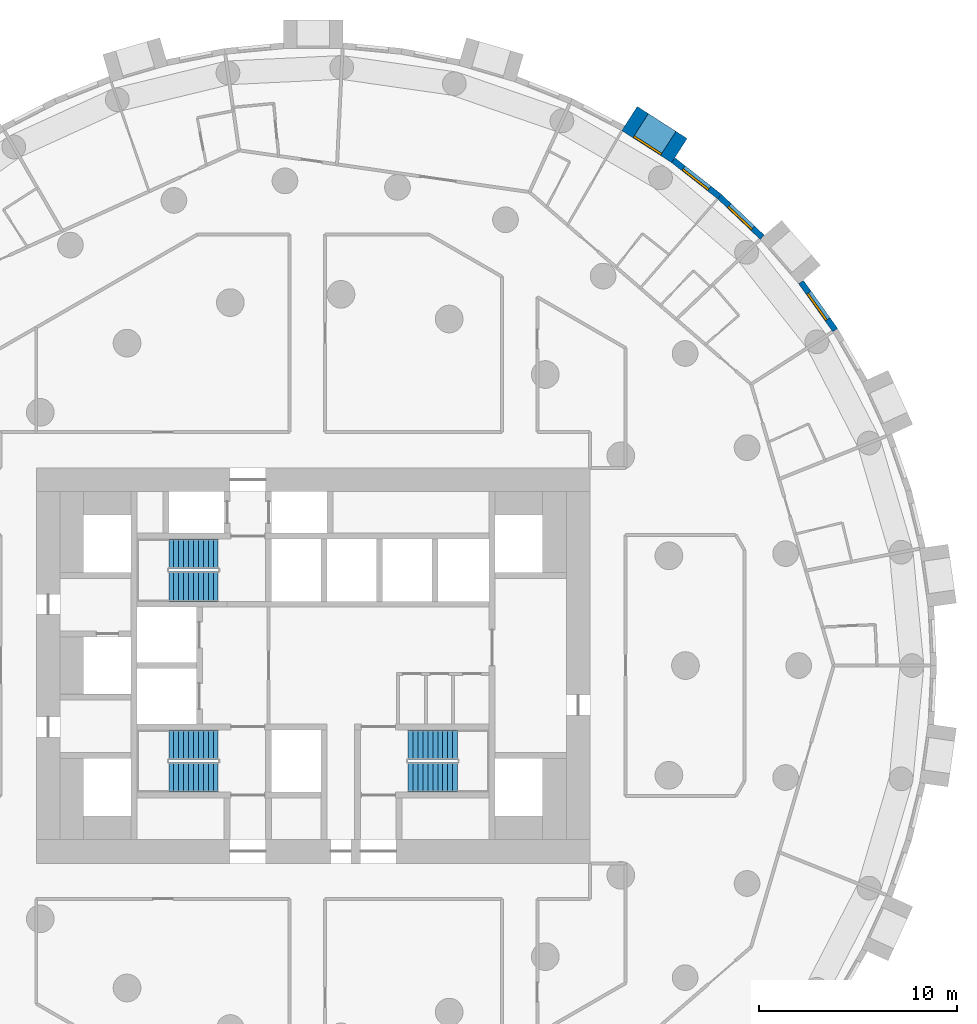
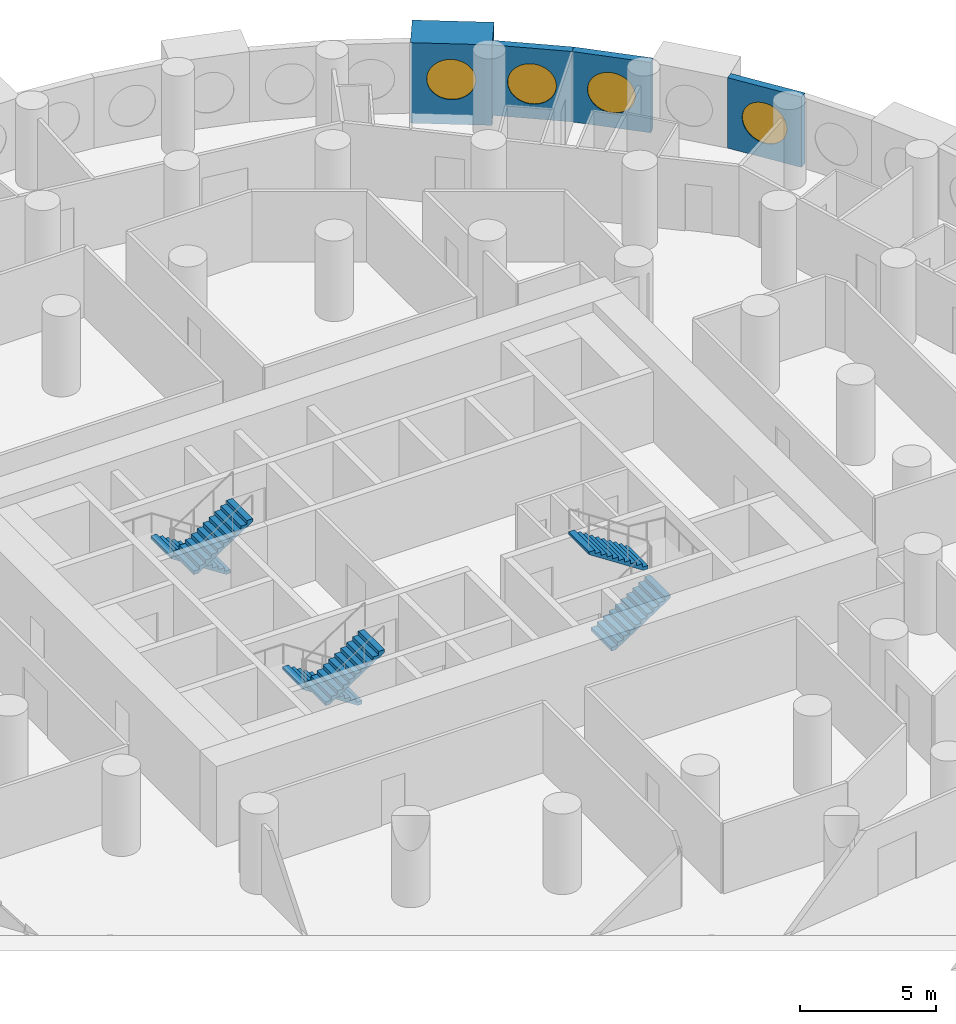
# One storey, part 11 of 12: 6 stair flights, 4 walls, 4 windows, 4 openings, 3 elements without a shape of their own.
"""IFC4 building model written with IfcOpenShell, lengths in metres."""

from ifc_helpers import new_model, si_unit, direction, frame, frame_2d, origin, origin_2d, place, context, subcontext, project, spatial, polyline, rectangle, circle, outline, extrude, material, layer, layer_set, type_object, element, fill, aggregate, save


model = new_model("IFC4")

# Units and contexts
model_context = context("Model", 3, precision=1e-05, world=origin(), true_north=direction((0.0, 1.0)))
body_context = subcontext(model_context, "Body", "Model", "MODEL_VIEW")
ifc_project = project(units=[si_unit("LENGTHUNIT", "METRE"), si_unit("AREAUNIT", "SQUARE_METRE"), si_unit("VOLUMEUNIT", "CUBIC_METRE"), si_unit("PLANEANGLEUNIT", "RADIAN"), si_unit("MASSUNIT", "GRAM", prefix="KILO")], contexts=[model_context])

# Site, building, storey
site_placement = place(None, origin())
site = spatial("IfcSite", under=ifc_project, at=site_placement, CompositionType="ELEMENT")
building_placement = place(site_placement, origin())
building = spatial("IfcBuilding", under=site, at=building_placement, Name="Tracery Tower", CompositionType="ELEMENT")
storey_placement = place(building_placement, frame((0.0, 0.0, 103.800048828125)))
storey = spatial("IfcBuildingStorey", under=building, at=storey_placement, Name="L26", CompositionType="ELEMENT", Elevation=103.800048828125)

# Wall, opening, window
ifc_material_1 = material(Name="Precast concrete C50/60", Category="concrete")
ifc_layer_1 = layer(ifc_material_1, 1.449951171875)
ifc_layer_set_1 = layer_set([ifc_layer_1], Name="Deep-set bay unit 3000 x 3600, slab edge 450")
wall_type_1 = type_object("IfcWallType", Name="Deep-set bay unit 3000 x 3600, slab edge 450", PredefinedType="ELEMENTEDWALL", material=ifc_layer_set_1)
wall_1_placement = place(storey_placement, frame((18.515869140625, 26.03662109375, -0.449951171875), z_axis=(0.0, 0.0, 1.0), x_axis=(-0.841223422347, 0.540687667415, 0.0)))
wall_1 = element("IfcWall", 1, at=wall_1_placement, inside=storey, type_object=wall_type_1, Name="Deep-set bay unit 11 at L26", PredefinedType="ELEMENTEDWALL", context=body_context, shape_type="SweptSolid", body=[
    extrude(rectangle(XDim=3.0, YDim=1.449951171875, at=frame_2d((1.5, 0.0))), origin(), (0.0, 0.0, 1.0), 3.599853515625),
])
opening_1_placement = place(wall_1_placement, frame((1.5, 0.0, 2.0)))
opening_1 = element("IfcOpeningElement", 2, at=opening_1_placement, cuts=wall_1, Name="Opening WN1", PredefinedType="OPENING", context=body_context, shape_type="SweptSolid", body=[
    extrude(circle(Radius=0.9000244140625, at=origin_2d()), frame((0.0, 0.73486328125, 0.0), z_axis=(0.0, -1.0, 0.0), x_axis=(1.0, 0.0, 0.0)), (0.0, 0.0, 1.0), 1.469970703125),
])
ifc_material_2 = material(Name="Aluminium frame with tinted double glazing", Category="aluminium")
window_type = type_object("IfcWindowType", Name="Round window 1800", PartitioningType="SINGLE_PANEL", PredefinedType="WINDOW", material=ifc_material_2)
window_1_placement = place(opening_1_placement, origin())
window_1 = element("IfcWindow", 3, at=window_1_placement, inside=storey, type_object=window_type, Name="Round window 11 at L26", OverallHeight=1.800048828125, OverallWidth=1.800048828125, PartitioningType="SINGLE_PANEL", PredefinedType="WINDOW", context=body_context, shape_type="SweptSolid", body=[
    extrude(circle(Radius=0.9000244140625, at=origin_2d()), frame((0.0, 0.69482421875, 0.0), z_axis=(0.0, -1.0, 0.0), x_axis=(1.0, 0.0, 0.0)), (0.0, 0.0, 1.0), 0.10009765625),
])
fill(opening_1, window_1)

ifc_material_3 = material(Name="Precast concrete C50/60", Category="concrete")
ifc_layer_2 = layer(ifc_material_3, 0.300048828125)
ifc_layer_set_2 = layer_set([ifc_layer_2], Name="Facade panel 3000 x 3150")
wall_type_2 = type_object("IfcWallType", Name="Facade panel 3000 x 3150", PredefinedType="SOLIDWALL", material=ifc_layer_set_2)
wall_2_placement = place(storey_placement, frame((26.393798828125, 16.96240234375, 0.0), z_axis=(0.0, 0.0, 1.0), x_axis=(-0.580059407678, 0.81457417315, 0.0)))
wall_2 = element("IfcWall", 4, at=wall_2_placement, inside=storey, type_object=wall_type_2, Name="Facade panel 7 at L26", PredefinedType="SOLIDWALL", context=body_context, shape_type="SweptSolid", body=[
    extrude(rectangle(XDim=2.9794921875, YDim=0.300048828125, at=frame_2d((1.48974609375, 0.0))), origin(), (0.0, 0.0, 1.0), 3.14990234375),
])
opening_2_placement = place(wall_2_placement, frame((1.48974609375, 0.0, 1.5498046875)))
opening_2 = element("IfcOpeningElement", 5, at=opening_2_placement, cuts=wall_2, Name="Opening WN1", PredefinedType="OPENING", context=body_context, shape_type="SweptSolid", body=[
    extrude(circle(Radius=0.9000244140625, at=origin_2d()), frame((0.0, 0.159912109375, 0.0), z_axis=(0.0, -1.0, 0.0), x_axis=(1.0, 0.0, 0.0)), (0.0, 0.0, 1.0), 0.320068359375),
])
window_2_placement = place(opening_2_placement, origin())
window_2 = element("IfcWindow", 6, at=window_2_placement, inside=storey, type_object=window_type, Name="Round window 7 at L26", OverallHeight=1.800048828125, OverallWidth=1.800048828125, PartitioningType="SINGLE_PANEL", PredefinedType="WINDOW", context=body_context, shape_type="SweptSolid", body=[
    extrude(circle(Radius=0.9000244140625, at=origin_2d()), frame((0.0, 0.1201171875, 0.0), z_axis=(0.0, -1.0, 0.0), x_axis=(1.0, 0.0, 0.0)), (0.0, 0.0, 1.0), 0.10009765625),
])
fill(opening_2, window_2)

wall_3_placement = place(storey_placement, frame((22.702392578125, 21.655029296875, 0.0), z_axis=(0.0, 0.0, 1.0), x_axis=(-0.723744206617, 0.690068346896, 0.0)))
wall_3 = element("IfcWall", 7, at=wall_3_placement, inside=storey, type_object=wall_type_2, Name="Facade panel 9 at L26", PredefinedType="SOLIDWALL", context=body_context, shape_type="SweptSolid", body=[
    extrude(rectangle(XDim=2.979736328125, YDim=0.300048828125, at=frame_2d((1.48974609375, 0.0))), origin(), (0.0, 0.0, 1.0), 3.14990234375),
])
opening_3_placement = place(wall_3_placement, frame((1.48974609375, 0.0, 1.5498046875)))
opening_3 = element("IfcOpeningElement", 8, at=opening_3_placement, cuts=wall_3, Name="Opening WN1", PredefinedType="OPENING", context=body_context, shape_type="SweptSolid", body=[
    extrude(circle(Radius=0.9000244140625, at=origin_2d()), frame((0.0, 0.159912109375, 0.0), z_axis=(0.0, -1.0, 0.0), x_axis=(1.0, 0.0, 0.0)), (0.0, 0.0, 1.0), 0.320068359375),
])
window_3_placement = place(opening_3_placement, origin())
window_3 = element("IfcWindow", 9, at=window_3_placement, inside=storey, type_object=window_type, Name="Round window 9 at L26", OverallHeight=1.800048828125, OverallWidth=1.800048828125, PartitioningType="SINGLE_PANEL", PredefinedType="WINDOW", context=body_context, shape_type="SweptSolid", body=[
    extrude(circle(Radius=0.9000244140625, at=origin_2d()), frame((0.0, 0.1201171875, 0.0), z_axis=(0.0, -1.0, 0.0), x_axis=(1.0, 0.0, 0.0)), (0.0, 0.0, 1.0), 0.10009765625),
])
fill(opening_3, window_3)

wall_4_placement = place(storey_placement, frame((20.5458984375, 23.711181640625, 0.0), z_axis=(0.0, 0.0, 1.0), x_axis=(-0.786045331304, 0.618168858108, 0.0)))
wall_4 = element("IfcWall", 10, at=wall_4_placement, inside=storey, type_object=wall_type_2, Name="Facade panel 10 at L26", PredefinedType="SOLIDWALL", context=body_context, shape_type="SweptSolid", body=[
    extrude(rectangle(XDim=2.979736328125, YDim=0.300048828125, at=frame_2d((1.48974609375, 0.0))), origin(), (0.0, 0.0, 1.0), 3.14990234375),
])
opening_4_placement = place(wall_4_placement, frame((1.48974609375, 0.0, 1.5498046875)))
opening_4 = element("IfcOpeningElement", 11, at=opening_4_placement, cuts=wall_4, Name="Opening WN1", PredefinedType="OPENING", context=body_context, shape_type="SweptSolid", body=[
    extrude(circle(Radius=0.9000244140625, at=origin_2d()), frame((0.0, 0.159912109375, 0.0), z_axis=(0.0, -1.0, 0.0), x_axis=(1.0, 0.0, 0.0)), (0.0, 0.0, 1.0), 0.320068359375),
])
window_4_placement = place(opening_4_placement, origin())
window_4 = element("IfcWindow", 12, at=window_4_placement, inside=storey, type_object=window_type, Name="Round window 10 at L26", OverallHeight=1.800048828125, OverallWidth=1.800048828125, PartitioningType="SINGLE_PANEL", PredefinedType="WINDOW", context=body_context, shape_type="SweptSolid", body=[
    extrude(circle(Radius=0.9000244140625, at=origin_2d()), frame((0.0, 0.1201171875, 0.0), z_axis=(0.0, -1.0, 0.0), x_axis=(1.0, 0.0, 0.0)), (0.0, 0.0, 1.0), 0.10009765625),
])
fill(opening_4, window_4)

# Stair, stair flights
ifc_material_4 = material(Name="Concrete C32/40", Category="concrete")
stair_type = type_object("IfcStairType", Name="Core stair 22 risers", PredefinedType="HALF_TURN_STAIR", material=ifc_material_4)
stair_1_placement = place(storey_placement, origin())
stair_1 = element("IfcStair", 13, at=stair_1_placement, inside=storey, type_object=stair_type, Name="L26 stair ST1", PredefinedType="HALF_TURN_STAIR")
ifc_material_5 = material(Name="Concrete C32/40", Category="concrete")
stair_flight_type = type_object("IfcStairFlightType", Name="Core stair flight 11 risers", PredefinedType="STRAIGHT", material=ifc_material_5)
stair_flight_1_placement = place(storey_placement, frame((-4.800048828125, -4.0, 0.0), z_axis=(0.0, 0.0, 1.0), x_axis=(-1.0, 0.0, 0.0)))
stair_flight_1 = element("IfcStairFlight", 14, at=stair_flight_1_placement, type_object=stair_flight_type, Name="ST1 flight 1", NumberOfRisers=11, NumberOfTreads=10, PredefinedType="STRAIGHT", RiserHeight=0.163636364, TreadLength=0.25, context=body_context, shape_type="SweptSolid", body=[
    extrude(outline(polyline([(0.0, 0.0), (0.0, 0.002685546875), (0.0, 0.00537109375), (0.0, 0.008056640625), (0.0, 0.0107421875), (0.0, 0.013427734375), (0.0, 0.01611328125), (0.0, 0.018798828125), (0.0, 0.021484375), (0.0, 0.024169921875), (0.0, 0.02685546875), (0.0, 0.029541015625), (0.0, 0.0322265625), (0.0, 0.034912109375), (0.0, 0.03759765625), (0.0, 0.040283203125), (0.0, 0.04296875), (0.0, 0.045654296875), (0.0, 0.04833984375), (0.0, 0.051025390625), (0.0, 0.0537109375), (0.0, 0.056396484375), (0.0, 0.05908203125), (0.0, 0.061767578125), (0.0, 0.064453125), (0.0, 0.067138671875), (0.0, 0.06982421875), (0.0, 0.072509765625), (0.0, 0.0751953125), (0.0, 0.077880859375), (0.0, 0.08056640625), (0.0, 0.083251953125), (0.0, 0.0859375), (0.0, 0.088623046875), (0.0, 0.09130859375), (0.0, 0.093994140625), (0.0, 0.0966796875), (0.0, 0.099365234375), (0.0, 0.10205078125), (0.0, 0.104736328125), (0.0, 0.107421875), (0.0, 0.10986328125), (0.0, 0.112548828125), (0.0, 0.115234375), (0.0, 0.117919921875), (0.0, 0.12060546875), (0.0, 0.123291015625), (0.0, 0.1259765625), (0.0, 0.128662109375), (0.0, 0.13134765625), (0.0, 0.134033203125), (0.0, 0.13671875), (0.0, 0.139404296875), (0.0, 0.14208984375), (0.0, 0.144775390625), (0.0, 0.1474609375), (0.0, 0.150146484375), (0.0, 0.15283203125), (0.0, 0.155517578125), (0.0, 0.158203125), (0.0, 0.160888671875), (0.0, 0.16357421875), (0.25, 0.16357421875), (0.25, 0.327392578125), (0.5, 0.327392578125), (0.5, 0.490966796875), (0.75, 0.490966796875), (0.75, 0.654541015625), (1.0, 0.654541015625), (1.0, 0.818115234375), (1.25, 0.818115234375), (1.25, 0.98193359375), (1.5, 0.98193359375), (1.5, 1.1455078125), (1.75, 1.1455078125), (1.75, 1.30908203125), (2.0, 1.30908203125), (2.0, 1.47265625), (2.25, 1.47265625), (2.25, 1.636474609375), (2.5, 1.636474609375), (2.5, 1.634521484375), (2.5, 1.63232421875), (2.5, 1.63037109375), (2.5, 1.62841796875), (2.5, 1.62646484375), (2.5, 1.62451171875), (2.5, 1.62255859375), (2.5, 1.62060546875), (2.5, 1.61865234375), (2.5, 1.61669921875), (2.5, 1.61474609375), (2.5, 1.61279296875), (2.5, 1.61083984375), (2.5, 1.60888671875), (2.5, 1.60693359375), (2.5, 1.60498046875), (2.5, 1.60302734375), (2.5, 1.60107421875), (2.5, 1.59912109375), (2.5, 1.59716796875), (2.5, 1.59521484375), (2.5, 1.59326171875), (2.5, 1.59130859375), (2.5, 1.58935546875), (2.5, 1.58740234375), (2.5, 1.58544921875), (2.5, 1.58349609375), (2.5, 1.58154296875), (2.5, 1.57958984375), (2.5, 1.57763671875), (2.5, 1.57568359375), (2.5, 1.573486328125), (2.5, 1.571533203125), (2.5, 1.569580078125), (2.5, 1.567626953125), (2.5, 1.565673828125), (2.5, 1.563720703125), (2.5, 1.561767578125), (2.5, 1.559814453125), (2.5, 1.557861328125), (2.5, 1.555908203125), (2.5, 1.553955078125), (2.5, 1.552001953125), (2.5, 1.550048828125), (2.5, 1.548095703125), (2.5, 1.546142578125), (2.5, 1.544189453125), (2.5, 1.542236328125), (2.5, 1.540283203125), (2.5, 1.538330078125), (2.5, 1.536376953125), (2.5, 1.534423828125), (2.5, 1.532470703125), (2.5, 1.530517578125), (2.5, 1.528564453125), (2.5, 1.526611328125), (2.5, 1.524658203125), (2.5, 1.522705078125), (2.5, 1.520751953125), (2.5, 1.518798828125), (2.5, 1.516845703125), (0.182861328125, 0.0), (0.0, 0.0)])), frame((0.0, 0.75, 0.0), z_axis=(0.0, -1.0, 0.0), x_axis=(1.0, 0.0, 0.0)), (0.0, 0.0, 1.0), 1.5),
])
stair_flight_2_placement = place(storey_placement, frame((-7.300048828125, -5.64990234375, 1.800048828125), z_axis=(0.0, 0.0, 1.0), x_axis=(1.0, 0.0, 0.0)))
stair_flight_2 = element("IfcStairFlight", 15, at=stair_flight_2_placement, type_object=stair_flight_type, Name="ST1 flight 2", NumberOfRisers=11, NumberOfTreads=10, PredefinedType="STRAIGHT", RiserHeight=0.163636364, TreadLength=0.25, context=body_context, shape_type="SweptSolid", body=[
    extrude(outline(polyline([(0.0, 0.0), (0.0, 0.002685546875), (0.0, 0.00537109375), (0.0, 0.008056640625), (0.0, 0.0107421875), (0.0, 0.013427734375), (0.0, 0.01611328125), (0.0, 0.018798828125), (0.0, 0.021484375), (0.0, 0.024169921875), (0.0, 0.02685546875), (0.0, 0.029541015625), (0.0, 0.0322265625), (0.0, 0.034912109375), (0.0, 0.03759765625), (0.0, 0.040283203125), (0.0, 0.04296875), (0.0, 0.045654296875), (0.0, 0.04833984375), (0.0, 0.051025390625), (0.0, 0.0537109375), (0.0, 0.056396484375), (0.0, 0.05908203125), (0.0, 0.061767578125), (0.0, 0.064453125), (0.0, 0.067138671875), (0.0, 0.06982421875), (0.0, 0.072509765625), (0.0, 0.0751953125), (0.0, 0.077880859375), (0.0, 0.08056640625), (0.0, 0.083251953125), (0.0, 0.0859375), (0.0, 0.088623046875), (0.0, 0.09130859375), (0.0, 0.093994140625), (0.0, 0.0966796875), (0.0, 0.099365234375), (0.0, 0.10205078125), (0.0, 0.104736328125), (0.0, 0.107421875), (0.0, 0.10986328125), (0.0, 0.112548828125), (0.0, 0.115234375), (0.0, 0.117919921875), (0.0, 0.12060546875), (0.0, 0.123291015625), (0.0, 0.1259765625), (0.0, 0.128662109375), (0.0, 0.13134765625), (0.0, 0.134033203125), (0.0, 0.13671875), (0.0, 0.139404296875), (0.0, 0.14208984375), (0.0, 0.144775390625), (0.0, 0.1474609375), (0.0, 0.150146484375), (0.0, 0.15283203125), (0.0, 0.155517578125), (0.0, 0.158203125), (0.0, 0.160888671875), (0.0, 0.16357421875), (0.25, 0.16357421875), (0.25, 0.327392578125), (0.5, 0.327392578125), (0.5, 0.490966796875), (0.75, 0.490966796875), (0.75, 0.654541015625), (1.0, 0.654541015625), (1.0, 0.818115234375), (1.25, 0.818115234375), (1.25, 0.98193359375), (1.5, 0.98193359375), (1.5, 1.1455078125), (1.75, 1.1455078125), (1.75, 1.30908203125), (2.0, 1.30908203125), (2.0, 1.47265625), (2.25, 1.47265625), (2.25, 1.636474609375), (2.5, 1.636474609375), (2.5, 1.634521484375), (2.5, 1.63232421875), (2.5, 1.63037109375), (2.5, 1.62841796875), (2.5, 1.62646484375), (2.5, 1.62451171875), (2.5, 1.62255859375), (2.5, 1.62060546875), (2.5, 1.61865234375), (2.5, 1.61669921875), (2.5, 1.61474609375), (2.5, 1.61279296875), (2.5, 1.61083984375), (2.5, 1.60888671875), (2.5, 1.60693359375), (2.5, 1.60498046875), (2.5, 1.60302734375), (2.5, 1.60107421875), (2.5, 1.59912109375), (2.5, 1.59716796875), (2.5, 1.59521484375), (2.5, 1.59326171875), (2.5, 1.59130859375), (2.5, 1.58935546875), (2.5, 1.58740234375), (2.5, 1.58544921875), (2.5, 1.58349609375), (2.5, 1.58154296875), (2.5, 1.57958984375), (2.5, 1.57763671875), (2.5, 1.57568359375), (2.5, 1.573486328125), (2.5, 1.571533203125), (2.5, 1.569580078125), (2.5, 1.567626953125), (2.5, 1.565673828125), (2.5, 1.563720703125), (2.5, 1.561767578125), (2.5, 1.559814453125), (2.5, 1.557861328125), (2.5, 1.555908203125), (2.5, 1.553955078125), (2.5, 1.552001953125), (2.5, 1.550048828125), (2.5, 1.548095703125), (2.5, 1.546142578125), (2.5, 1.544189453125), (2.5, 1.542236328125), (2.5, 1.540283203125), (2.5, 1.538330078125), (2.5, 1.536376953125), (2.5, 1.534423828125), (2.5, 1.532470703125), (2.5, 1.530517578125), (2.5, 1.528564453125), (2.5, 1.526611328125), (2.5, 1.524658203125), (2.5, 1.522705078125), (2.5, 1.520751953125), (2.5, 1.518798828125), (2.5, 1.516845703125), (0.182861328125, 0.0), (0.0, 0.0)])), frame((0.0, 0.75, 0.0), z_axis=(0.0, -1.0, 0.0), x_axis=(1.0, 0.0, 0.0)), (0.0, 0.0, 1.0), 1.5),
])
aggregate(stair_1, [stair_flight_1, stair_flight_2])

stair_2_placement = place(storey_placement, origin())
stair_2 = element("IfcStair", 16, at=stair_2_placement, inside=storey, type_object=stair_type, Name="L26 stair ST3", PredefinedType="HALF_TURN_STAIR")
stair_flight_3_placement = place(storey_placement, frame((-4.800048828125, 5.64990234375, 0.0), z_axis=(0.0, 0.0, 1.0), x_axis=(-1.0, 0.0, 0.0)))
stair_flight_3 = element("IfcStairFlight", 17, at=stair_flight_3_placement, type_object=stair_flight_type, Name="ST3 flight 1", NumberOfRisers=11, NumberOfTreads=10, PredefinedType="STRAIGHT", RiserHeight=0.163636364, TreadLength=0.25, context=body_context, shape_type="SweptSolid", body=[
    extrude(outline(polyline([(0.0, 0.0), (0.0, 0.002685546875), (0.0, 0.00537109375), (0.0, 0.008056640625), (0.0, 0.0107421875), (0.0, 0.013427734375), (0.0, 0.01611328125), (0.0, 0.018798828125), (0.0, 0.021484375), (0.0, 0.024169921875), (0.0, 0.02685546875), (0.0, 0.029541015625), (0.0, 0.0322265625), (0.0, 0.034912109375), (0.0, 0.03759765625), (0.0, 0.040283203125), (0.0, 0.04296875), (0.0, 0.045654296875), (0.0, 0.04833984375), (0.0, 0.051025390625), (0.0, 0.0537109375), (0.0, 0.056396484375), (0.0, 0.05908203125), (0.0, 0.061767578125), (0.0, 0.064453125), (0.0, 0.067138671875), (0.0, 0.06982421875), (0.0, 0.072509765625), (0.0, 0.0751953125), (0.0, 0.077880859375), (0.0, 0.08056640625), (0.0, 0.083251953125), (0.0, 0.0859375), (0.0, 0.088623046875), (0.0, 0.09130859375), (0.0, 0.093994140625), (0.0, 0.0966796875), (0.0, 0.099365234375), (0.0, 0.10205078125), (0.0, 0.104736328125), (0.0, 0.107421875), (0.0, 0.10986328125), (0.0, 0.112548828125), (0.0, 0.115234375), (0.0, 0.117919921875), (0.0, 0.12060546875), (0.0, 0.123291015625), (0.0, 0.1259765625), (0.0, 0.128662109375), (0.0, 0.13134765625), (0.0, 0.134033203125), (0.0, 0.13671875), (0.0, 0.139404296875), (0.0, 0.14208984375), (0.0, 0.144775390625), (0.0, 0.1474609375), (0.0, 0.150146484375), (0.0, 0.15283203125), (0.0, 0.155517578125), (0.0, 0.158203125), (0.0, 0.160888671875), (0.0, 0.16357421875), (0.25, 0.16357421875), (0.25, 0.327392578125), (0.5, 0.327392578125), (0.5, 0.490966796875), (0.75, 0.490966796875), (0.75, 0.654541015625), (1.0, 0.654541015625), (1.0, 0.818115234375), (1.25, 0.818115234375), (1.25, 0.98193359375), (1.5, 0.98193359375), (1.5, 1.1455078125), (1.75, 1.1455078125), (1.75, 1.30908203125), (2.0, 1.30908203125), (2.0, 1.47265625), (2.25, 1.47265625), (2.25, 1.636474609375), (2.5, 1.636474609375), (2.5, 1.634521484375), (2.5, 1.63232421875), (2.5, 1.63037109375), (2.5, 1.62841796875), (2.5, 1.62646484375), (2.5, 1.62451171875), (2.5, 1.62255859375), (2.5, 1.62060546875), (2.5, 1.61865234375), (2.5, 1.61669921875), (2.5, 1.61474609375), (2.5, 1.61279296875), (2.5, 1.61083984375), (2.5, 1.60888671875), (2.5, 1.60693359375), (2.5, 1.60498046875), (2.5, 1.60302734375), (2.5, 1.60107421875), (2.5, 1.59912109375), (2.5, 1.59716796875), (2.5, 1.59521484375), (2.5, 1.59326171875), (2.5, 1.59130859375), (2.5, 1.58935546875), (2.5, 1.58740234375), (2.5, 1.58544921875), (2.5, 1.58349609375), (2.5, 1.58154296875), (2.5, 1.57958984375), (2.5, 1.57763671875), (2.5, 1.57568359375), (2.5, 1.573486328125), (2.5, 1.571533203125), (2.5, 1.569580078125), (2.5, 1.567626953125), (2.5, 1.565673828125), (2.5, 1.563720703125), (2.5, 1.561767578125), (2.5, 1.559814453125), (2.5, 1.557861328125), (2.5, 1.555908203125), (2.5, 1.553955078125), (2.5, 1.552001953125), (2.5, 1.550048828125), (2.5, 1.548095703125), (2.5, 1.546142578125), (2.5, 1.544189453125), (2.5, 1.542236328125), (2.5, 1.540283203125), (2.5, 1.538330078125), (2.5, 1.536376953125), (2.5, 1.534423828125), (2.5, 1.532470703125), (2.5, 1.530517578125), (2.5, 1.528564453125), (2.5, 1.526611328125), (2.5, 1.524658203125), (2.5, 1.522705078125), (2.5, 1.520751953125), (2.5, 1.518798828125), (2.5, 1.516845703125), (0.182861328125, 0.0), (0.0, 0.0)])), frame((0.0, 0.75, 0.0), z_axis=(0.0, -1.0, 0.0), x_axis=(1.0, 0.0, 0.0)), (0.0, 0.0, 1.0), 1.5),
])
stair_flight_4_placement = place(storey_placement, frame((-7.300048828125, 4.0, 1.800048828125), z_axis=(0.0, 0.0, 1.0), x_axis=(1.0, 0.0, 0.0)))
stair_flight_4 = element("IfcStairFlight", 18, at=stair_flight_4_placement, type_object=stair_flight_type, Name="ST3 flight 2", NumberOfRisers=11, NumberOfTreads=10, PredefinedType="STRAIGHT", RiserHeight=0.163636364, TreadLength=0.25, context=body_context, shape_type="SweptSolid", body=[
    extrude(outline(polyline([(0.0, 0.0), (0.0, 0.002685546875), (0.0, 0.00537109375), (0.0, 0.008056640625), (0.0, 0.0107421875), (0.0, 0.013427734375), (0.0, 0.01611328125), (0.0, 0.018798828125), (0.0, 0.021484375), (0.0, 0.024169921875), (0.0, 0.02685546875), (0.0, 0.029541015625), (0.0, 0.0322265625), (0.0, 0.034912109375), (0.0, 0.03759765625), (0.0, 0.040283203125), (0.0, 0.04296875), (0.0, 0.045654296875), (0.0, 0.04833984375), (0.0, 0.051025390625), (0.0, 0.0537109375), (0.0, 0.056396484375), (0.0, 0.05908203125), (0.0, 0.061767578125), (0.0, 0.064453125), (0.0, 0.067138671875), (0.0, 0.06982421875), (0.0, 0.072509765625), (0.0, 0.0751953125), (0.0, 0.077880859375), (0.0, 0.08056640625), (0.0, 0.083251953125), (0.0, 0.0859375), (0.0, 0.088623046875), (0.0, 0.09130859375), (0.0, 0.093994140625), (0.0, 0.0966796875), (0.0, 0.099365234375), (0.0, 0.10205078125), (0.0, 0.104736328125), (0.0, 0.107421875), (0.0, 0.10986328125), (0.0, 0.112548828125), (0.0, 0.115234375), (0.0, 0.117919921875), (0.0, 0.12060546875), (0.0, 0.123291015625), (0.0, 0.1259765625), (0.0, 0.128662109375), (0.0, 0.13134765625), (0.0, 0.134033203125), (0.0, 0.13671875), (0.0, 0.139404296875), (0.0, 0.14208984375), (0.0, 0.144775390625), (0.0, 0.1474609375), (0.0, 0.150146484375), (0.0, 0.15283203125), (0.0, 0.155517578125), (0.0, 0.158203125), (0.0, 0.160888671875), (0.0, 0.16357421875), (0.25, 0.16357421875), (0.25, 0.327392578125), (0.5, 0.327392578125), (0.5, 0.490966796875), (0.75, 0.490966796875), (0.75, 0.654541015625), (1.0, 0.654541015625), (1.0, 0.818115234375), (1.25, 0.818115234375), (1.25, 0.98193359375), (1.5, 0.98193359375), (1.5, 1.1455078125), (1.75, 1.1455078125), (1.75, 1.30908203125), (2.0, 1.30908203125), (2.0, 1.47265625), (2.25, 1.47265625), (2.25, 1.636474609375), (2.5, 1.636474609375), (2.5, 1.634521484375), (2.5, 1.63232421875), (2.5, 1.63037109375), (2.5, 1.62841796875), (2.5, 1.62646484375), (2.5, 1.62451171875), (2.5, 1.62255859375), (2.5, 1.62060546875), (2.5, 1.61865234375), (2.5, 1.61669921875), (2.5, 1.61474609375), (2.5, 1.61279296875), (2.5, 1.61083984375), (2.5, 1.60888671875), (2.5, 1.60693359375), (2.5, 1.60498046875), (2.5, 1.60302734375), (2.5, 1.60107421875), (2.5, 1.59912109375), (2.5, 1.59716796875), (2.5, 1.59521484375), (2.5, 1.59326171875), (2.5, 1.59130859375), (2.5, 1.58935546875), (2.5, 1.58740234375), (2.5, 1.58544921875), (2.5, 1.58349609375), (2.5, 1.58154296875), (2.5, 1.57958984375), (2.5, 1.57763671875), (2.5, 1.57568359375), (2.5, 1.573486328125), (2.5, 1.571533203125), (2.5, 1.569580078125), (2.5, 1.567626953125), (2.5, 1.565673828125), (2.5, 1.563720703125), (2.5, 1.561767578125), (2.5, 1.559814453125), (2.5, 1.557861328125), (2.5, 1.555908203125), (2.5, 1.553955078125), (2.5, 1.552001953125), (2.5, 1.550048828125), (2.5, 1.548095703125), (2.5, 1.546142578125), (2.5, 1.544189453125), (2.5, 1.542236328125), (2.5, 1.540283203125), (2.5, 1.538330078125), (2.5, 1.536376953125), (2.5, 1.534423828125), (2.5, 1.532470703125), (2.5, 1.530517578125), (2.5, 1.528564453125), (2.5, 1.526611328125), (2.5, 1.524658203125), (2.5, 1.522705078125), (2.5, 1.520751953125), (2.5, 1.518798828125), (2.5, 1.516845703125), (0.182861328125, 0.0), (0.0, 0.0)])), frame((0.0, 0.75, 0.0), z_axis=(0.0, -1.0, 0.0), x_axis=(1.0, 0.0, 0.0)), (0.0, 0.0, 1.0), 1.5),
])
aggregate(stair_2, [stair_flight_3, stair_flight_4])

stair_3_placement = place(storey_placement, origin())
stair_3 = element("IfcStair", 19, at=stair_3_placement, inside=storey, type_object=stair_type, Name="L26 stair ST2", PredefinedType="HALF_TURN_STAIR")
stair_flight_5_placement = place(storey_placement, frame((4.800048828125, -5.64990234375, 0.0), z_axis=(0.0, 0.0, 1.0), x_axis=(1.0, 0.0, 0.0)))
stair_flight_5 = element("IfcStairFlight", 20, at=stair_flight_5_placement, type_object=stair_flight_type, Name="ST2 flight 1", NumberOfRisers=11, NumberOfTreads=10, PredefinedType="STRAIGHT", RiserHeight=0.163636364, TreadLength=0.25, context=body_context, shape_type="SweptSolid", body=[
    extrude(outline(polyline([(0.0, 0.0), (0.0, 0.002685546875), (0.0, 0.00537109375), (0.0, 0.008056640625), (0.0, 0.0107421875), (0.0, 0.013427734375), (0.0, 0.01611328125), (0.0, 0.018798828125), (0.0, 0.021484375), (0.0, 0.024169921875), (0.0, 0.02685546875), (0.0, 0.029541015625), (0.0, 0.0322265625), (0.0, 0.034912109375), (0.0, 0.03759765625), (0.0, 0.040283203125), (0.0, 0.04296875), (0.0, 0.045654296875), (0.0, 0.04833984375), (0.0, 0.051025390625), (0.0, 0.0537109375), (0.0, 0.056396484375), (0.0, 0.05908203125), (0.0, 0.061767578125), (0.0, 0.064453125), (0.0, 0.067138671875), (0.0, 0.06982421875), (0.0, 0.072509765625), (0.0, 0.0751953125), (0.0, 0.077880859375), (0.0, 0.08056640625), (0.0, 0.083251953125), (0.0, 0.0859375), (0.0, 0.088623046875), (0.0, 0.09130859375), (0.0, 0.093994140625), (0.0, 0.0966796875), (0.0, 0.099365234375), (0.0, 0.10205078125), (0.0, 0.104736328125), (0.0, 0.107421875), (0.0, 0.10986328125), (0.0, 0.112548828125), (0.0, 0.115234375), (0.0, 0.117919921875), (0.0, 0.12060546875), (0.0, 0.123291015625), (0.0, 0.1259765625), (0.0, 0.128662109375), (0.0, 0.13134765625), (0.0, 0.134033203125), (0.0, 0.13671875), (0.0, 0.139404296875), (0.0, 0.14208984375), (0.0, 0.144775390625), (0.0, 0.1474609375), (0.0, 0.150146484375), (0.0, 0.15283203125), (0.0, 0.155517578125), (0.0, 0.158203125), (0.0, 0.160888671875), (0.0, 0.16357421875), (0.25, 0.16357421875), (0.25, 0.327392578125), (0.5, 0.327392578125), (0.5, 0.490966796875), (0.75, 0.490966796875), (0.75, 0.654541015625), (1.0, 0.654541015625), (1.0, 0.818115234375), (1.25, 0.818115234375), (1.25, 0.98193359375), (1.5, 0.98193359375), (1.5, 1.1455078125), (1.75, 1.1455078125), (1.75, 1.30908203125), (2.0, 1.30908203125), (2.0, 1.47265625), (2.25, 1.47265625), (2.25, 1.636474609375), (2.5, 1.636474609375), (2.5, 1.634521484375), (2.5, 1.63232421875), (2.5, 1.63037109375), (2.5, 1.62841796875), (2.5, 1.62646484375), (2.5, 1.62451171875), (2.5, 1.62255859375), (2.5, 1.62060546875), (2.5, 1.61865234375), (2.5, 1.61669921875), (2.5, 1.61474609375), (2.5, 1.61279296875), (2.5, 1.61083984375), (2.5, 1.60888671875), (2.5, 1.60693359375), (2.5, 1.60498046875), (2.5, 1.60302734375), (2.5, 1.60107421875), (2.5, 1.59912109375), (2.5, 1.59716796875), (2.5, 1.59521484375), (2.5, 1.59326171875), (2.5, 1.59130859375), (2.5, 1.58935546875), (2.5, 1.58740234375), (2.5, 1.58544921875), (2.5, 1.58349609375), (2.5, 1.58154296875), (2.5, 1.57958984375), (2.5, 1.57763671875), (2.5, 1.57568359375), (2.5, 1.573486328125), (2.5, 1.571533203125), (2.5, 1.569580078125), (2.5, 1.567626953125), (2.5, 1.565673828125), (2.5, 1.563720703125), (2.5, 1.561767578125), (2.5, 1.559814453125), (2.5, 1.557861328125), (2.5, 1.555908203125), (2.5, 1.553955078125), (2.5, 1.552001953125), (2.5, 1.550048828125), (2.5, 1.548095703125), (2.5, 1.546142578125), (2.5, 1.544189453125), (2.5, 1.542236328125), (2.5, 1.540283203125), (2.5, 1.538330078125), (2.5, 1.536376953125), (2.5, 1.534423828125), (2.5, 1.532470703125), (2.5, 1.530517578125), (2.5, 1.528564453125), (2.5, 1.526611328125), (2.5, 1.524658203125), (2.5, 1.522705078125), (2.5, 1.520751953125), (2.5, 1.518798828125), (2.5, 1.516845703125), (0.182861328125, 0.0), (0.0, 0.0)])), frame((0.0, 0.75, 0.0), z_axis=(0.0, -1.0, 0.0), x_axis=(1.0, 0.0, 0.0)), (0.0, 0.0, 1.0), 1.5),
])
stair_flight_6_placement = place(storey_placement, frame((7.300048828125, -4.0, 1.800048828125), z_axis=(0.0, 0.0, 1.0), x_axis=(-1.0, 0.0, 0.0)))
stair_flight_6 = element("IfcStairFlight", 21, at=stair_flight_6_placement, type_object=stair_flight_type, Name="ST2 flight 2", NumberOfRisers=11, NumberOfTreads=10, PredefinedType="STRAIGHT", RiserHeight=0.163636364, TreadLength=0.25, context=body_context, shape_type="SweptSolid", body=[
    extrude(outline(polyline([(0.0, 0.0), (0.0, 0.002685546875), (0.0, 0.00537109375), (0.0, 0.008056640625), (0.0, 0.0107421875), (0.0, 0.013427734375), (0.0, 0.01611328125), (0.0, 0.018798828125), (0.0, 0.021484375), (0.0, 0.024169921875), (0.0, 0.02685546875), (0.0, 0.029541015625), (0.0, 0.0322265625), (0.0, 0.034912109375), (0.0, 0.03759765625), (0.0, 0.040283203125), (0.0, 0.04296875), (0.0, 0.045654296875), (0.0, 0.04833984375), (0.0, 0.051025390625), (0.0, 0.0537109375), (0.0, 0.056396484375), (0.0, 0.05908203125), (0.0, 0.061767578125), (0.0, 0.064453125), (0.0, 0.067138671875), (0.0, 0.06982421875), (0.0, 0.072509765625), (0.0, 0.0751953125), (0.0, 0.077880859375), (0.0, 0.08056640625), (0.0, 0.083251953125), (0.0, 0.0859375), (0.0, 0.088623046875), (0.0, 0.09130859375), (0.0, 0.093994140625), (0.0, 0.0966796875), (0.0, 0.099365234375), (0.0, 0.10205078125), (0.0, 0.104736328125), (0.0, 0.107421875), (0.0, 0.10986328125), (0.0, 0.112548828125), (0.0, 0.115234375), (0.0, 0.117919921875), (0.0, 0.12060546875), (0.0, 0.123291015625), (0.0, 0.1259765625), (0.0, 0.128662109375), (0.0, 0.13134765625), (0.0, 0.134033203125), (0.0, 0.13671875), (0.0, 0.139404296875), (0.0, 0.14208984375), (0.0, 0.144775390625), (0.0, 0.1474609375), (0.0, 0.150146484375), (0.0, 0.15283203125), (0.0, 0.155517578125), (0.0, 0.158203125), (0.0, 0.160888671875), (0.0, 0.16357421875), (0.25, 0.16357421875), (0.25, 0.327392578125), (0.5, 0.327392578125), (0.5, 0.490966796875), (0.75, 0.490966796875), (0.75, 0.654541015625), (1.0, 0.654541015625), (1.0, 0.818115234375), (1.25, 0.818115234375), (1.25, 0.98193359375), (1.5, 0.98193359375), (1.5, 1.1455078125), (1.75, 1.1455078125), (1.75, 1.30908203125), (2.0, 1.30908203125), (2.0, 1.47265625), (2.25, 1.47265625), (2.25, 1.636474609375), (2.5, 1.636474609375), (2.5, 1.634521484375), (2.5, 1.63232421875), (2.5, 1.63037109375), (2.5, 1.62841796875), (2.5, 1.62646484375), (2.5, 1.62451171875), (2.5, 1.62255859375), (2.5, 1.62060546875), (2.5, 1.61865234375), (2.5, 1.61669921875), (2.5, 1.61474609375), (2.5, 1.61279296875), (2.5, 1.61083984375), (2.5, 1.60888671875), (2.5, 1.60693359375), (2.5, 1.60498046875), (2.5, 1.60302734375), (2.5, 1.60107421875), (2.5, 1.59912109375), (2.5, 1.59716796875), (2.5, 1.59521484375), (2.5, 1.59326171875), (2.5, 1.59130859375), (2.5, 1.58935546875), (2.5, 1.58740234375), (2.5, 1.58544921875), (2.5, 1.58349609375), (2.5, 1.58154296875), (2.5, 1.57958984375), (2.5, 1.57763671875), (2.5, 1.57568359375), (2.5, 1.573486328125), (2.5, 1.571533203125), (2.5, 1.569580078125), (2.5, 1.567626953125), (2.5, 1.565673828125), (2.5, 1.563720703125), (2.5, 1.561767578125), (2.5, 1.559814453125), (2.5, 1.557861328125), (2.5, 1.555908203125), (2.5, 1.553955078125), (2.5, 1.552001953125), (2.5, 1.550048828125), (2.5, 1.548095703125), (2.5, 1.546142578125), (2.5, 1.544189453125), (2.5, 1.542236328125), (2.5, 1.540283203125), (2.5, 1.538330078125), (2.5, 1.536376953125), (2.5, 1.534423828125), (2.5, 1.532470703125), (2.5, 1.530517578125), (2.5, 1.528564453125), (2.5, 1.526611328125), (2.5, 1.524658203125), (2.5, 1.522705078125), (2.5, 1.520751953125), (2.5, 1.518798828125), (2.5, 1.516845703125), (0.182861328125, 0.0), (0.0, 0.0)])), frame((0.0, 0.75, 0.0), z_axis=(0.0, -1.0, 0.0), x_axis=(1.0, 0.0, 0.0)), (0.0, 0.0, 1.0), 1.5),
])
aggregate(stair_3, [stair_flight_5, stair_flight_6])

save(model, "model.ifc")
